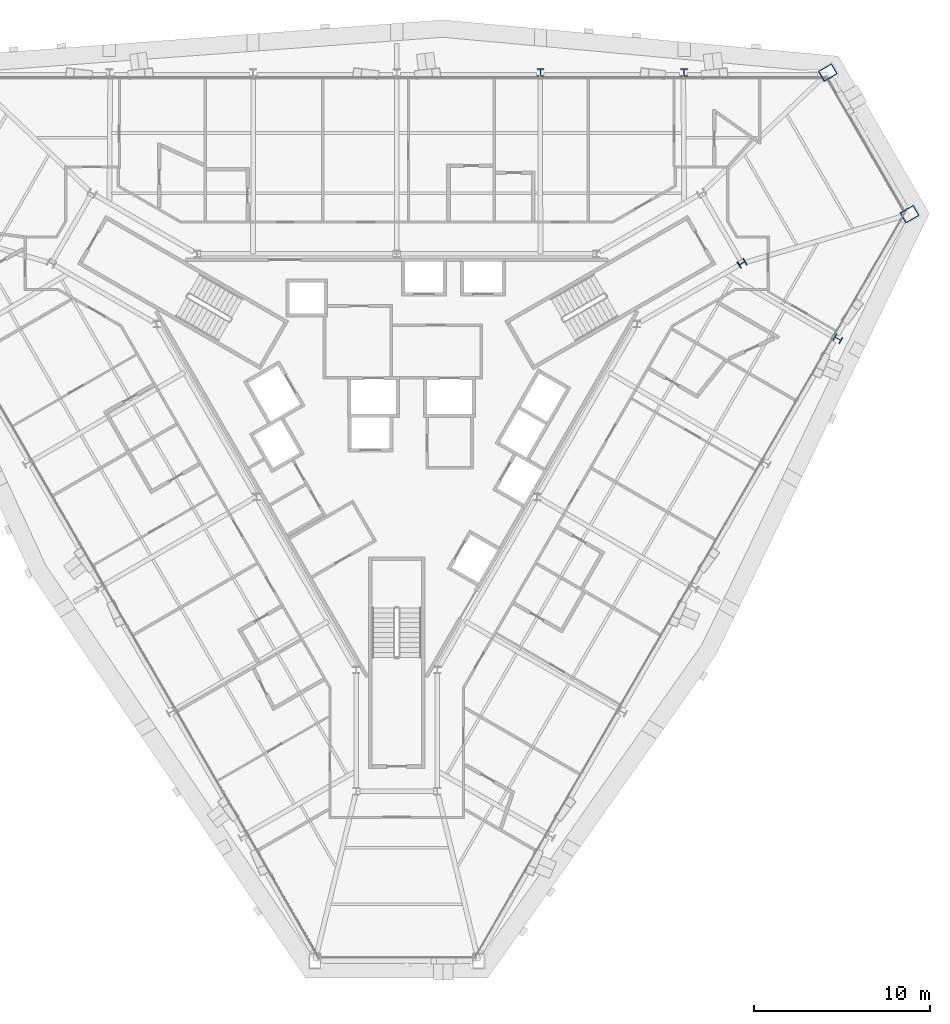
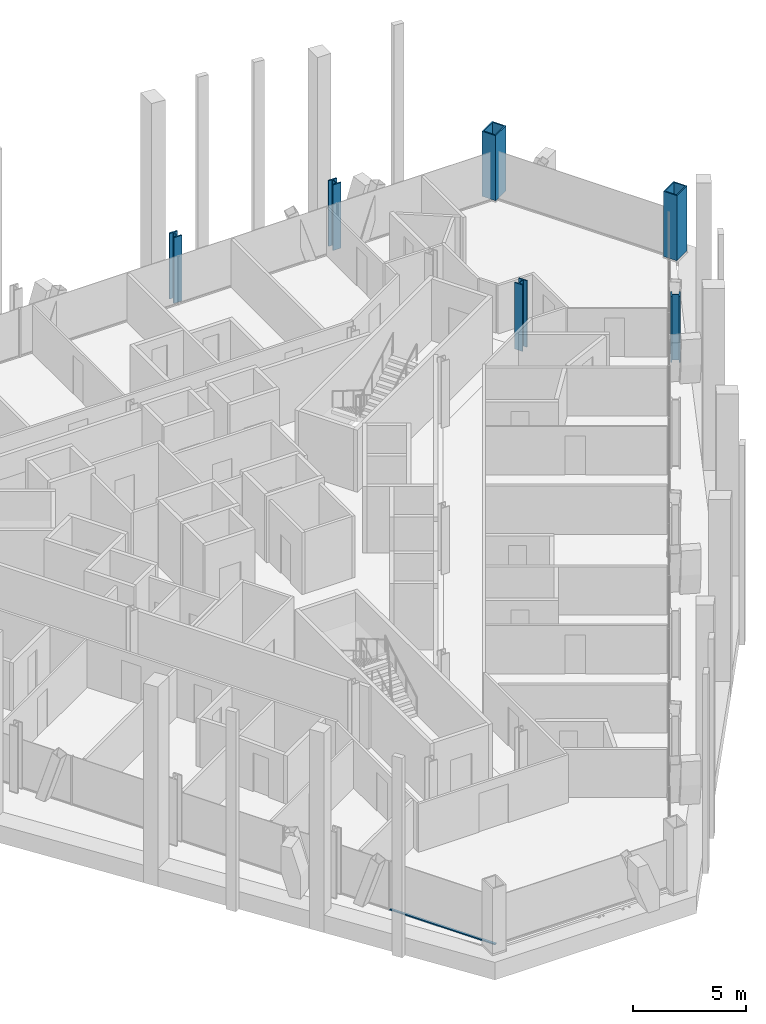
# One storey, part 2 of 19: 6 columns, 1 member, 1 element without a shape of its own.
"""IFC4 building model written with IfcOpenShell, lengths in metres."""

from ifc_helpers import new_model, si_unit, direction, frame, origin, origin_2d, place, context, subcontext, project, spatial, rectangle, hollow_rectangle, i_section, extrude, material, material_profile, profile_set, type_object, element, aggregate, save


model = new_model("IFC4")

# Units and contexts
model_context = context("Model", 3, precision=1e-05, world=origin(), true_north=direction((0.0, 1.0)))
body_context = subcontext(model_context, "Body", "Model", "MODEL_VIEW")
ifc_project = project(units=[si_unit("LENGTHUNIT", "METRE"), si_unit("AREAUNIT", "SQUARE_METRE"), si_unit("VOLUMEUNIT", "CUBIC_METRE"), si_unit("PLANEANGLEUNIT", "RADIAN"), si_unit("MASSUNIT", "GRAM", prefix="KILO")], contexts=[model_context])

# Site, building, storey
site_placement = place(None, origin())
site = spatial("IfcSite", under=ifc_project, at=site_placement, CompositionType="ELEMENT")
building_placement = place(site_placement, origin())
building = spatial("IfcBuilding", under=site, at=building_placement, Name="Verrane Prism Tower", CompositionType="ELEMENT")
storey_placement = place(building_placement, frame((0.0, 0.0, 121.60009765625)))
storey = spatial("IfcBuildingStorey", under=building, at=storey_placement, Name="L29", CompositionType="ELEMENT", Elevation=121.60009765625)

# Columns
ifc_material_1 = material(Name="Steel A992", Category="steel")
ifc_material_profile_1 = material_profile(ifc_material_1, i_section(OverallWidth=0.411376953125, OverallDepth=0.434326171875, WebThickness=0.035888671875, FlangeThickness=0.057373046875, FilletRadius=0.01513671875, at=origin_2d()), Name="W14x311")
ifc_profile_set_1 = profile_set([ifc_material_profile_1], Name="Steel A992")
column_type_1 = type_object("IfcColumnType", Name="Core corner column W14x311", PredefinedType="COLUMN", material=ifc_profile_set_1)
column_1_placement = place(storey_placement, frame((19.60009765625, 8.659912109375, 0.0), z_axis=(0.0, 0.0, 1.0), x_axis=(0.5, -0.866025403784, 0.0)))
element("IfcColumn", 1, at=column_1_placement, inside=storey, type_object=column_type_1, Name="Core corner column CK-NEm L29", PredefinedType="COLUMN", context=body_context, shape_type="SweptSolid", body=[
    extrude(i_section(OverallWidth=0.411376953125, OverallDepth=0.434326171875, WebThickness=0.035888671875, FlangeThickness=0.057373046875, FilletRadius=0.01513671875, at=origin_2d()), origin(), (0.0, 0.0, 1.0), 3.599853515625),
])
ifc_material_2 = material(Name="Steel A572 Grade 50", Category="steel")
ifc_material_profile_2 = material_profile(ifc_material_2, hollow_rectangle(XDim=0.699951171875, YDim=0.89990234375, WallThickness=0.06494140625, at=origin_2d()), Name="BOX 900x700x65")
ifc_profile_set_2 = profile_set([ifc_material_profile_2], Name="Steel A572 Grade 50")
column_type_2 = type_object("IfcColumnType", Name="Megacolumn BOX 900x700x65", PredefinedType="COLUMN", material=ifc_profile_set_2)
for number, where, z_axis, x_axis, name in (
    (2, (24.469970703125, 19.489990234375, 0.074951171875), (0.0, 0.0, 1.0), (0.5, -0.866025403784, 0.0), "Megacolumn MC-NE.b L29"),
    (3, (29.110107421875, 11.449951171875, 0.074951171875), (0.0, 0.0, 1.0), (0.5, -0.866025403784, 0.0), "Megacolumn MC-NE.a L29"),
):
    element("IfcColumn", number, at=place(storey_placement, frame(where, z_axis=z_axis, x_axis=x_axis)), inside=storey, type_object=column_type_2, Name=name, PredefinedType="COLUMN", context=body_context, shape_type="SweptSolid", body=[
        extrude(hollow_rectangle(XDim=0.699951171875, YDim=0.89990234375, WallThickness=0.06494140625, at=origin_2d()), origin(), (0.0, 0.0, 1.0), 3.52490234375),
    ])
ifc_material_3 = material(Name="Steel A992", Category="steel")
ifc_material_profile_3 = material_profile(ifc_material_3, i_section(OverallWidth=0.419189453125, OverallDepth=0.45458984375, WebThickness=0.042236328125, FlangeThickness=0.067626953125, FilletRadius=0.01513671875, at=origin_2d()), Name="W14x370")
ifc_profile_set_3 = profile_set([ifc_material_profile_3], Name="Steel A992")
column_type_3 = type_object("IfcColumnType", Name="Perimeter column W14x370", PredefinedType="COLUMN", material=ifc_profile_set_3)
column_2_placement = place(storey_placement, frame((16.31005859375, 19.489990234375, 0.044921875), z_axis=(0.0, 0.0, 1.0), x_axis=(1.0, 0.0, 0.0)))
element("IfcColumn", 4, at=column_2_placement, inside=storey, type_object=column_type_3, Name="Perimeter column PC-N1 L29", PredefinedType="COLUMN", context=body_context, shape_type="SweptSolid", body=[
    extrude(i_section(OverallWidth=0.419189453125, OverallDepth=0.45458984375, WebThickness=0.042236328125, FlangeThickness=0.067626953125, FilletRadius=0.01513671875, at=origin_2d()), origin(), (0.0, 0.0, 1.0), 3.554931640625),
])
column_3_placement = place(storey_placement, frame((8.159912109375, 19.489990234375, 0.039794921875), z_axis=(0.0, 0.0, 1.0), x_axis=(1.0, 0.0, 0.0)))
element("IfcColumn", 5, at=column_3_placement, inside=storey, type_object=column_type_3, Name="Perimeter column PC-N2 L29", PredefinedType="COLUMN", context=body_context, shape_type="SweptSolid", body=[
    extrude(i_section(OverallWidth=0.419189453125, OverallDepth=0.45458984375, WebThickness=0.042236328125, FlangeThickness=0.067626953125, FilletRadius=0.01513671875, at=origin_2d()), origin(), (0.0, 0.0, 1.0), 3.56005859375),
])
column_4_placement = place(storey_placement, frame((25.0400390625, 4.3798828125, 0.044921875), z_axis=(0.0, 0.0, 1.0), x_axis=(-0.5, -0.866025403784, 0.0)))
element("IfcColumn", 6, at=column_4_placement, inside=storey, type_object=column_type_3, Name="Perimeter column PC-SE5 L29", PredefinedType="COLUMN", context=body_context, shape_type="SweptSolid", body=[
    extrude(i_section(OverallWidth=0.419189453125, OverallDepth=0.45458984375, WebThickness=0.042236328125, FlangeThickness=0.067626953125, FilletRadius=0.01513671875, at=origin_2d()), origin(), (0.0, 0.0, 1.0), 3.554931640625),
])

# Curtain wall, member
ifc_material_4 = material(Name="Aluminium framed insulated glazing", Category="aluminium")
curtain_wall_type = type_object("IfcCurtainWallType", Name="Curtain wall CW-B 5600 module", PredefinedType="NOTDEFINED", material=ifc_material_4)
curtain_wall_placement = place(storey_placement, origin())
curtain_wall = element("IfcCurtainWall", 7, at=curtain_wall_placement, inside=storey, type_object=curtain_wall_type, Name="Glazed curtain wall south-west face L29", PredefinedType="NOTDEFINED")
ifc_material_5 = material(Name="Aluminium alloy 6063-T6", Category="aluminium")
ifc_material_profile_4 = material_profile(ifc_material_5, rectangle(XDim=0.1201171875, YDim=0.06005859375, at=origin_2d()), Name="Transom 60x120 aluminium")
ifc_profile_set_4 = profile_set([ifc_material_profile_4], Name="Aluminium alloy 6063-T6")
member_type = type_object("IfcMemberType", Name="Transom 60x120 aluminium", PredefinedType="USERDEFINED", material=ifc_profile_set_4)
member_placement = place(storey_placement, frame((-7.1337890625, -26.065673828125, 0.02978515625), z_axis=(0.499966767414, -0.866044589777, 0.0), x_axis=(0.866044589777, 0.499966767414, 0.0)))
member = element("IfcMember", 8, at=member_placement, type_object=member_type, Name="CW29.4 transom 9", ObjectType="TRANSOM", PredefinedType="USERDEFINED", context=body_context, shape_type="SweptSolid", body=[
    extrude(rectangle(XDim=0.1201171875, YDim=0.06005859375, at=origin_2d()), origin(), (0.0, 0.0, 1.0), 5.391845703125),
])
aggregate(curtain_wall, [member])

save(model, "model.ifc")
